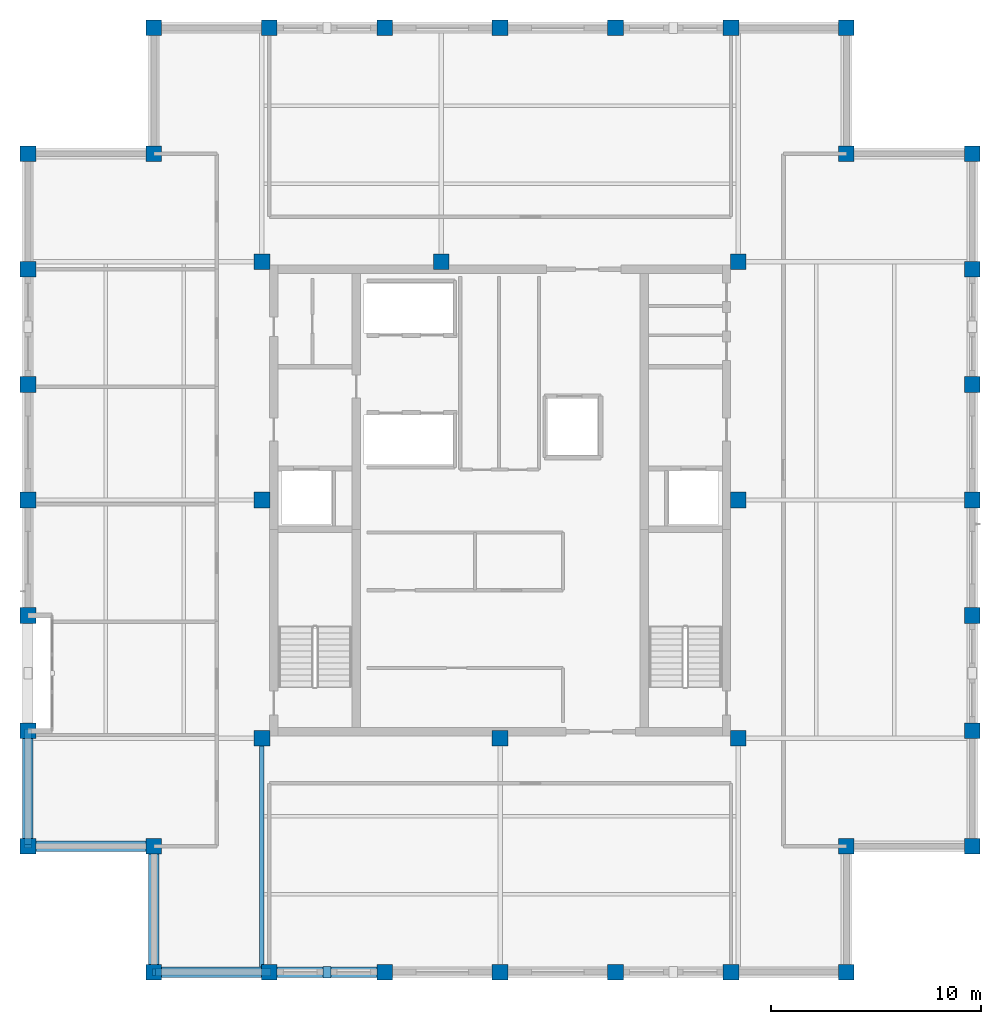
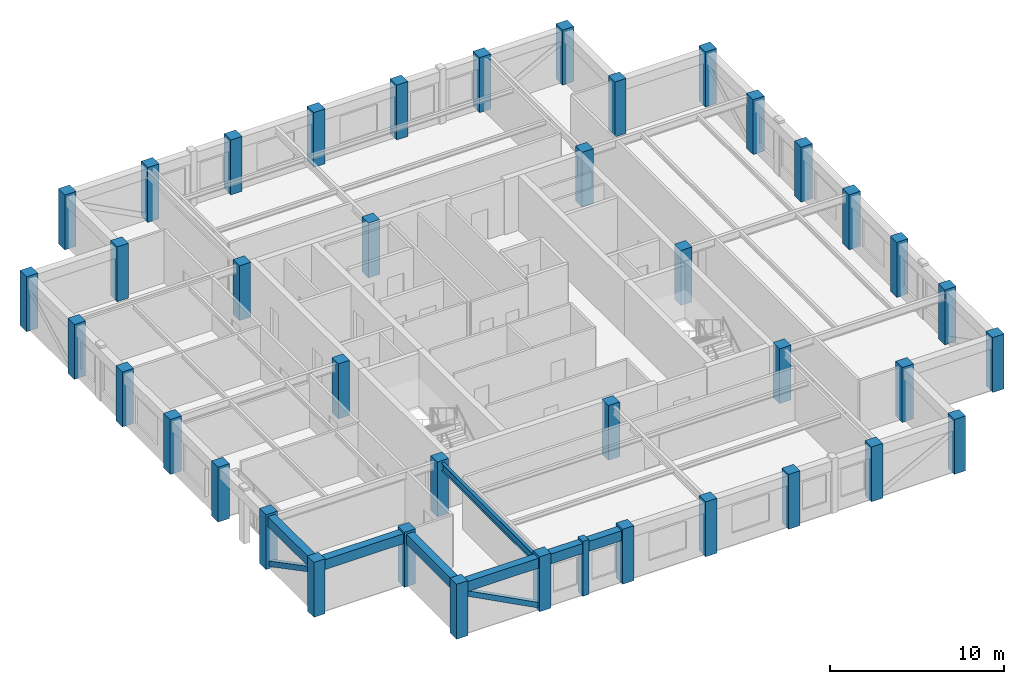
# One storey, part 1 of 13: 40 columns, 6 beams, 3 members.
"""IFC4 building model written with IfcOpenShell, lengths in metres."""

from ifc_helpers import new_model, si_unit, direction, frame, origin, origin_2d, place, context, subcontext, project, spatial, rectangle, hollow_rectangle, i_section, extrude, material, material_profile, profile_set, type_object, element, save


model = new_model("IFC4")

# Units and contexts
model_context = context("Model", 3, precision=1e-05, world=origin(), true_north=direction((0.0, 1.0)))
body_context = subcontext(model_context, "Body", "Model", "MODEL_VIEW")
ifc_project = project(units=[si_unit("LENGTHUNIT", "METRE"), si_unit("AREAUNIT", "SQUARE_METRE"), si_unit("VOLUMEUNIT", "CUBIC_METRE"), si_unit("PLANEANGLEUNIT", "RADIAN"), si_unit("MASSUNIT", "GRAM", prefix="KILO")], contexts=[model_context])

# Site, building, storey
site_placement = place(None, origin())
site = spatial("IfcSite", under=ifc_project, at=site_placement, CompositionType="ELEMENT")
building_placement = place(site_placement, origin())
building = spatial("IfcBuilding", under=site, at=building_placement, Name="Nhamokura Convention Tower", CompositionType="ELEMENT")
storey_placement = place(building_placement, frame((0.0, 0.0, 300.64990234375)))
storey = spatial("IfcBuildingStorey", under=building, at=storey_placement, Name="L74", CompositionType="ELEMENT", Elevation=300.64990234375)

# Columns
ifc_material_1 = material(Name="Concrete C50/60", Category="concrete")
ifc_material_profile_1 = material_profile(ifc_material_1, rectangle(XDim=0.75, YDim=0.75, at=origin_2d()))
ifc_profile_set_1 = profile_set([ifc_material_profile_1], Name="Concrete C50/60")
column_type = type_object("IfcColumnType", Name="TubeColumn_Z4_750", PredefinedType="COLUMN", material=ifc_profile_set_1)
for number, where, z_axis, x_axis, name in (
    (1, (20.64990234375, 20.64990234375, 0.0), (0.0, 0.0, 1.0), (1.0, 0.0, 0.0), "L74 Core Column CC-SW"),
    (2, (32.0, 20.64990234375, 0.0), (0.0, 0.0, 1.0), (1.0, 0.0, 0.0), "L74 Core Column CC-S"),
    (3, (43.35009765625, 20.64990234375, 0.0), (0.0, 0.0, 1.0), (1.0, 0.0, 0.0), "L74 Core Column CC-SE"),
    (4, (43.35009765625, 32.0, 0.0), (0.0, 0.0, 1.0), (1.0, 0.0, 0.0), "L74 Core Column CC-E"),
    (5, (43.35009765625, 43.35009765625, 0.0), (0.0, 0.0, 1.0), (1.0, 0.0, 0.0), "L74 Core Column CC-NE"),
    (6, (29.199951171875, 43.35009765625, 0.0), (0.0, 0.0, 1.0), (1.0, 0.0, 0.0), "L74 Core Column CC-N"),
    (7, (20.64990234375, 43.35009765625, 0.0), (0.0, 0.0, 1.0), (1.0, 0.0, 0.0), "L74 Core Column CC-NW"),
    (8, (20.64990234375, 32.0, 0.0), (0.0, 0.0, 1.0), (1.0, 0.0, 0.0), "L74 Core Column CC-W"),
    (9, (15.5, 9.5, 0.0), (0.0, 0.0, 1.0), (1.0, 0.0, 0.0), "L74 Perimeter Tube Column SW1"),
    (10, (15.5, 15.5, 0.0), (0.0, 0.0, 1.0), (1.0, 0.0, 0.0), "L74 Perimeter Tube Column SW0"),
    (11, (9.5, 15.5, 0.0), (0.0, 0.0, 1.0), (1.0, 0.0, 0.0), "L74 Perimeter Tube Column SW2"),
    (12, (48.5, 9.5, 0.0), (0.0, 0.0, 1.0), (1.0, 0.0, 0.0), "L74 Perimeter Tube Column SE1"),
    (13, (48.5, 15.5, 0.0), (0.0, 0.0, 1.0), (1.0, 0.0, 0.0), "L74 Perimeter Tube Column SE0"),
    (14, (54.5, 15.5, 0.0), (0.0, 0.0, 1.0), (1.0, 0.0, 0.0), "L74 Perimeter Tube Column SE2"),
    (15, (54.5, 48.5, 0.0), (0.0, 0.0, 1.0), (1.0, 0.0, 0.0), "L74 Perimeter Tube Column NE1"),
    (16, (48.5, 48.5, 0.0), (0.0, 0.0, 1.0), (1.0, 0.0, 0.0), "L74 Perimeter Tube Column NE0"),
    (17, (48.5, 54.5, 0.0), (0.0, 0.0, 1.0), (1.0, 0.0, 0.0), "L74 Perimeter Tube Column NE2"),
    (18, (15.5, 54.5, 0.0), (0.0, 0.0, 1.0), (1.0, 0.0, 0.0), "L74 Perimeter Tube Column NW1"),
    (19, (15.5, 48.5, 0.0), (0.0, 0.0, 1.0), (1.0, 0.0, 0.0), "L74 Perimeter Tube Column NW0"),
    (20, (9.5, 48.5, 0.0), (0.0, 0.0, 1.0), (1.0, 0.0, 0.0), "L74 Perimeter Tube Column NW2"),
    (21, (21.0, 9.5, 0.0), (0.0, 0.0, 1.0), (1.0, 0.0, 0.0), "L74 Perimeter Tube Column S1"),
    (22, (21.0, 54.5, 0.0), (0.0, 0.0, 1.0), (1.0, 0.0, 0.0), "L74 Perimeter Tube Column N1"),
    (23, (9.5, 21.0, 0.0), (0.0, 0.0, 1.0), (1.0, 0.0, 0.0), "L74 Perimeter Tube Column W1"),
    (24, (54.5, 21.0, 0.0), (0.0, 0.0, 1.0), (1.0, 0.0, 0.0), "L74 Perimeter Tube Column E1"),
    (25, (26.5, 9.5, 0.0), (0.0, 0.0, 1.0), (1.0, 0.0, 0.0), "L74 Perimeter Tube Column S2"),
    (26, (26.5, 54.5, 0.0), (0.0, 0.0, 1.0), (1.0, 0.0, 0.0), "L74 Perimeter Tube Column N2"),
    (27, (9.5, 26.5, 0.0), (0.0, 0.0, 1.0), (1.0, 0.0, 0.0), "L74 Perimeter Tube Column W2"),
    (28, (54.5, 26.5, 0.0), (0.0, 0.0, 1.0), (1.0, 0.0, 0.0), "L74 Perimeter Tube Column E2"),
    (29, (32.0, 9.5, 0.0), (0.0, 0.0, 1.0), (1.0, 0.0, 0.0), "L74 Perimeter Tube Column S3"),
    (30, (32.0, 54.5, 0.0), (0.0, 0.0, 1.0), (1.0, 0.0, 0.0), "L74 Perimeter Tube Column N3"),
    (31, (9.5, 32.0, 0.0), (0.0, 0.0, 1.0), (1.0, 0.0, 0.0), "L74 Perimeter Tube Column W3"),
    (32, (54.5, 32.0, 0.0), (0.0, 0.0, 1.0), (1.0, 0.0, 0.0), "L74 Perimeter Tube Column E3"),
    (33, (37.5, 9.5, 0.0), (0.0, 0.0, 1.0), (1.0, 0.0, 0.0), "L74 Perimeter Tube Column S4"),
    (34, (37.5, 54.5, 0.0), (0.0, 0.0, 1.0), (1.0, 0.0, 0.0), "L74 Perimeter Tube Column N4"),
    (35, (9.5, 37.5, 0.0), (0.0, 0.0, 1.0), (1.0, 0.0, 0.0), "L74 Perimeter Tube Column W4"),
    (36, (54.5, 37.5, 0.0), (0.0, 0.0, 1.0), (1.0, 0.0, 0.0), "L74 Perimeter Tube Column E4"),
    (37, (43.0, 9.5, 0.0), (0.0, 0.0, 1.0), (1.0, 0.0, 0.0), "L74 Perimeter Tube Column S5"),
    (38, (43.0, 54.5, 0.0), (0.0, 0.0, 1.0), (1.0, 0.0, 0.0), "L74 Perimeter Tube Column N5"),
    (39, (9.5, 43.0, 0.0), (0.0, 0.0, 1.0), (1.0, 0.0, 0.0), "L74 Perimeter Tube Column W5"),
    (40, (54.5, 43.0, 0.0), (0.0, 0.0, 1.0), (1.0, 0.0, 0.0), "L74 Perimeter Tube Column E5"),
):
    element("IfcColumn", number, at=place(storey_placement, frame(where, z_axis=z_axis, x_axis=x_axis)), inside=storey, type_object=column_type, Name=name, PredefinedType="COLUMN", context=body_context, shape_type="SweptSolid", body=[
        extrude(rectangle(XDim=0.75, YDim=0.75, at=origin_2d()), origin(), (0.0, 0.0, 1.0), 3.85009765625),
    ])

# Member
ifc_material_2 = material(Name="Bronze-pigmented precast concrete C45/55", Category="concrete")
ifc_material_profile_2 = material_profile(ifc_material_2, rectangle(XDim=0.39990234375, YDim=0.550048828125, at=origin_2d()))
ifc_profile_set_2 = profile_set([ifc_material_profile_2], Name="Bronze-pigmented precast concrete C45/55")
member_type_1 = type_object("IfcMemberType", Name="BronzePilaster_550", PredefinedType="USERDEFINED", material=ifc_profile_set_2)
member_placement = place(storey_placement, frame((23.75, 9.5, 0.0), z_axis=(0.0, 0.0, 1.0), x_axis=(1.0, 0.0, 0.0)))
element("IfcMember", 41, at=member_placement, inside=storey, type_object=member_type_1, Name="L74 Engaged Frame Pilaster SOUTH 1", ObjectType="PILASTER_TRIM", PredefinedType="USERDEFINED", context=body_context, shape_type="SweptSolid", body=[
    extrude(rectangle(XDim=0.39990234375, YDim=0.550048828125, at=origin_2d()), origin(), (0.0, 0.0, 1.0), 3.85009765625),
])

# Beam
ifc_material_3 = material(Name="Steel ASTM A992 Gr 50", Category="steel")
ifc_material_profile_3 = material_profile(ifc_material_3, i_section(OverallWidth=0.208984375, OverallDepth=0.532958984375, WebThickness=0.01025390625, FlangeThickness=0.015625, at=origin_2d()))
ifc_profile_set_3 = profile_set([ifc_material_profile_3], Name="Steel ASTM A992 Gr 50")
beam_type_1 = type_object("IfcBeamType", Name="PrimaryGirder_W530X92", PredefinedType="BEAM", material=ifc_profile_set_3)
beam_placement = place(storey_placement, frame((20.64990234375, 9.5, 3.418701171875), z_axis=(0.0, 1.0, 0.0), x_axis=(-1.0, 0.0, 0.0)))
element("IfcBeam", 42, at=beam_placement, inside=storey, type_object=beam_type_1, Name="L74 Primary Floor Girder PG-S1", PredefinedType="BEAM", context=body_context, shape_type="SweptSolid", body=[
    extrude(i_section(OverallWidth=0.208984375, OverallDepth=0.532958984375, WebThickness=0.01025390625, FlangeThickness=0.015625, at=origin_2d()), origin(), (0.0, 0.0, 1.0), 11.14990234375),
])

# Members
ifc_material_4 = material(Name="Steel ASTM A572 Gr 50", Category="steel")
ifc_material_profile_4 = material_profile(ifc_material_4, hollow_rectangle(XDim=0.35009765625, YDim=0.35009765625, WallThickness=0.01611328125, at=origin_2d()))
ifc_profile_set_4 = profile_set([ifc_material_profile_4], Name="Steel ASTM A572 Gr 50")
member_type_2 = type_object("IfcMemberType", Name="TubeBrace_HSS350", PredefinedType="BRACE", material=ifc_profile_set_4)
for number, where, z_axis, x_axis, name in (
    (43, (21.0, 9.5, 0.150146484375), (-0.885562865764, 0.0, 0.464519548328), (0.0, -1.0, 0.0), "L74 Perimeter Tube Brace SOUTH Bay 0"),
    (44, (9.5, 21.0, 0.150146484375), (0.0, -0.885562865764, 0.464519548328), (1.0, 0.0, 0.0), "L74 Perimeter Tube Brace WEST Bay 0"),
):
    element("IfcMember", number, at=place(storey_placement, frame(where, z_axis=z_axis, x_axis=x_axis)), inside=storey, type_object=member_type_2, Name=name, PredefinedType="BRACE", context=body_context, shape_type="SweptSolid", body=[
        extrude(hollow_rectangle(XDim=0.35009765625, YDim=0.35009765625, WallThickness=0.01611328125, at=origin_2d()), origin(), (0.0, 0.0, 1.0), 6.210693359375),
    ])

# Beams
ifc_material_5 = material(Name="Concrete C50/60", Category="concrete")
ifc_material_profile_5 = material_profile(ifc_material_5, rectangle(XDim=0.5, YDim=0.699951171875, at=origin_2d()))
ifc_profile_set_5 = profile_set([ifc_material_profile_5], Name="Concrete C50/60")
beam_type_2 = type_object("IfcBeamType", Name="TubeSpandrel_700", PredefinedType="SPANDREL", material=ifc_profile_set_5)
for number, where, z_axis, x_axis, name in (
    (45, (15.5, 9.5, 3.335205078125), (1.0, 0.0, 0.0), (0.0, 1.0, 0.0), "L74 Perimeter Spandrel SOUTH 1"),
    (46, (21.0, 9.5, 3.335205078125), (1.0, 0.0, 0.0), (0.0, 1.0, 0.0), "L74 Perimeter Spandrel SOUTH 2"),
    (47, (9.5, 15.5, 3.335205078125), (0.0, 1.0, 0.0), (-1.0, 0.0, 0.0), "L74 Perimeter Spandrel WEST 1"),
):
    element("IfcBeam", number, at=place(storey_placement, frame(where, z_axis=z_axis, x_axis=x_axis)), inside=storey, type_object=beam_type_2, Name=name, PredefinedType="SPANDREL", context=body_context, shape_type="SweptSolid", body=[
        extrude(rectangle(XDim=0.5, YDim=0.699951171875, at=origin_2d()), origin(), (0.0, 0.0, 1.0), 5.5),
    ])
for number, where, z_axis, x_axis, name in (
    (48, (15.5, 9.5, 3.335205078125), (0.0, 1.0, 0.0), (-1.0, 0.0, 0.0), "L74 Notch Spandrel SW1"),
    (49, (15.5, 15.5, 3.335205078125), (-1.0, 0.0, 0.0), (0.0, -1.0, 0.0), "L74 Notch Spandrel SW2"),
):
    element("IfcBeam", number, at=place(storey_placement, frame(where, z_axis=z_axis, x_axis=x_axis)), inside=storey, type_object=beam_type_2, Name=name, PredefinedType="SPANDREL", context=body_context, shape_type="SweptSolid", body=[
        extrude(rectangle(XDim=0.5, YDim=0.699951171875, at=origin_2d()), origin(), (0.0, 0.0, 1.0), 6.0),
    ])

save(model, "model.ifc")
